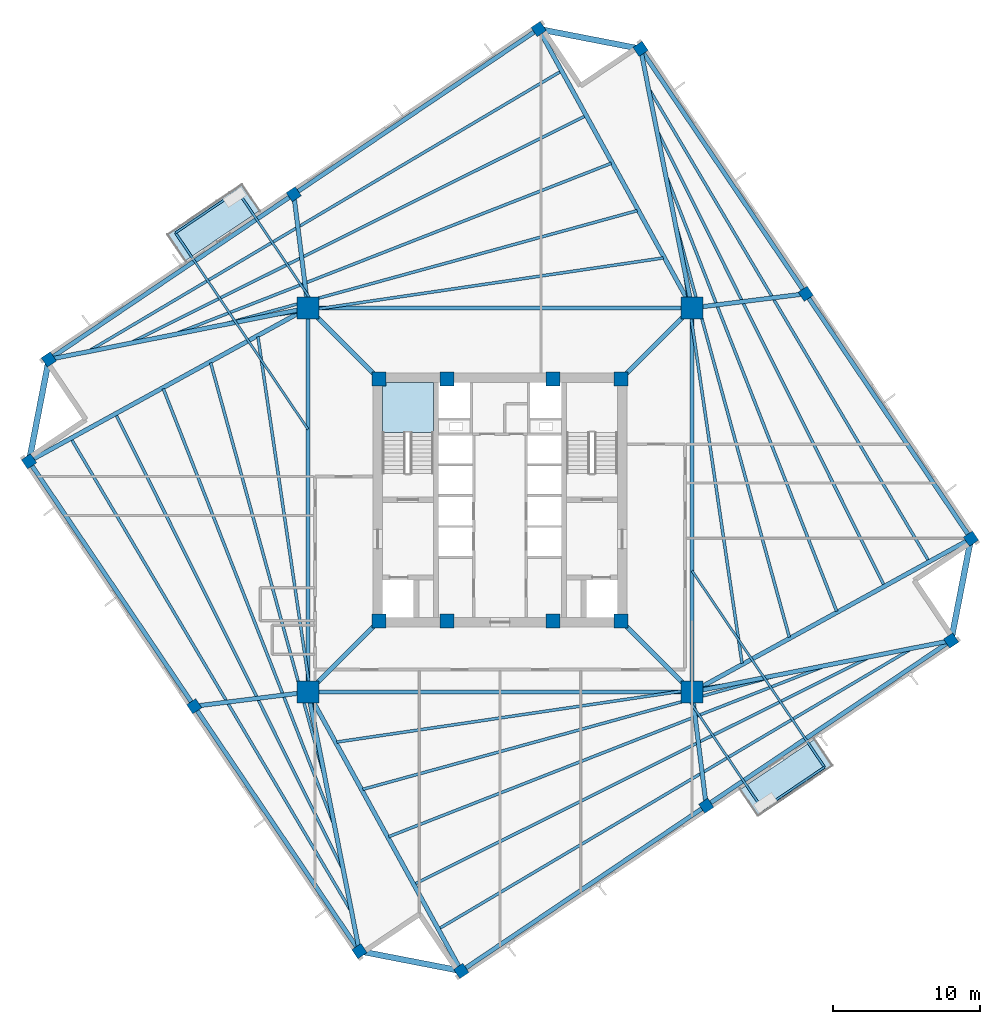
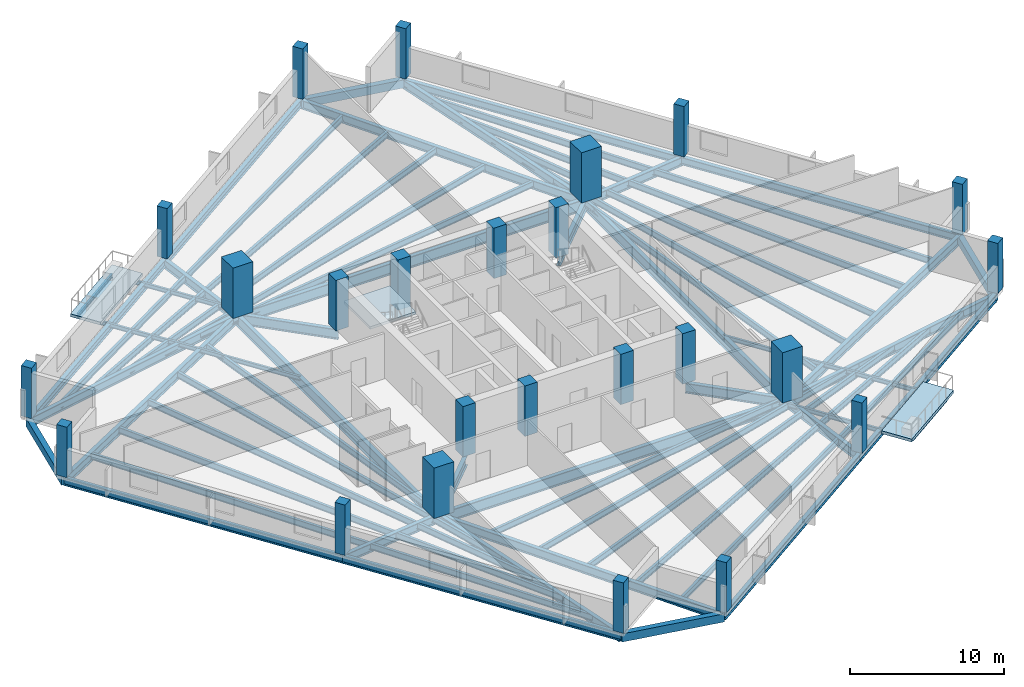
# One storey, part 1 of 8: 58 beams, 24 columns, 3 slabs, 1 element without a shape of its own.
"""IFC4 building model written with IfcOpenShell, lengths in metres."""

from ifc_helpers import new_model, si_unit, direction, frame, origin, origin_2d, place, context, subcontext, project, spatial, polyline, rectangle, i_section, outline, extrude, source, transform, mapped, material, layer, layer_set, material_profile, profile_set, type_object, element, aggregate, save


model = new_model("IFC4")

# Units and contexts
model_context = context("Model", 3, precision=1e-05, world=origin(), true_north=direction((0.0, 1.0)))
body_context = subcontext(model_context, "Body", "Model", "MODEL_VIEW")
ifc_project = project(units=[si_unit("LENGTHUNIT", "METRE"), si_unit("AREAUNIT", "SQUARE_METRE"), si_unit("VOLUMEUNIT", "CUBIC_METRE"), si_unit("PLANEANGLEUNIT", "RADIAN"), si_unit("MASSUNIT", "GRAM", prefix="KILO"), si_unit("THERMODYNAMICTEMPERATUREUNIT", "KELVIN")], contexts=[model_context])

# Site, building, storey
site_placement = place(None, origin())
site = spatial("IfcSite", under=ifc_project, at=site_placement, CompositionType="ELEMENT")
building_placement = place(site_placement, origin())
building = spatial("IfcBuilding", under=site, at=building_placement, Name="Kosmvard Interchange Tower", CompositionType="ELEMENT")
storey_placement = place(building_placement, frame((0.0, 0.0, 196.39990234375)))
storey = spatial("IfcBuildingStorey", under=building, at=storey_placement, Name="L47", CompositionType="ELEMENT", Elevation=196.39990234375)

# Columns
ifc_material_1 = material(Name="Concrete C60/75", Category="concrete")
ifc_material_profile_1 = material_profile(ifc_material_1, rectangle(XDim=0.949951171875, YDim=0.949951171875, at=origin_2d()), Name="CP 950x950")
ifc_profile_set_1 = profile_set([ifc_material_profile_1], Name="Concrete C60/75")
column_type_1 = type_object("IfcColumnType", Name="Core Boundary Pilaster 950x950 C60/75", PredefinedType="PILASTER", material=ifc_profile_set_1)
shared_shape_1 = source(origin(), body_context, "Body", "SweptSolid", [
    extrude(rectangle(XDim=0.949951171875, YDim=0.949951171875, at=origin_2d()), origin(), (0.0, 0.0, 1.0), 4.0),
])
for number, where, z_axis, x_axis, name in (
    (1, (-8.25, -8.25, 0.0), (0.0, 0.0, 1.0), (1.0, 0.0, 0.0), "L47 Core Pilaster CP1"),
    (2, (8.25, -8.25, 0.0), (0.0, 0.0, 1.0), (1.0, 0.0, 0.0), "L47 Core Pilaster CP2"),
    (3, (8.25, 8.25, 0.0), (0.0, 0.0, 1.0), (1.0, 0.0, 0.0), "L47 Core Pilaster CP3"),
    (4, (-8.25, 8.25, 0.0), (0.0, 0.0, 1.0), (1.0, 0.0, 0.0), "L47 Core Pilaster CP4"),
    (5, (-3.60009765625, -8.25, 0.0), (0.0, 0.0, 1.0), (1.0, 0.0, 0.0), "L47 Core Pilaster CP5"),
    (6, (3.60009765625, -8.25, 0.0), (0.0, 0.0, 1.0), (1.0, 0.0, 0.0), "L47 Core Pilaster CP6"),
    (7, (-3.60009765625, 8.25, 0.0), (0.0, 0.0, 1.0), (1.0, 0.0, 0.0), "L47 Core Pilaster CP7"),
    (8, (3.60009765625, 8.25, 0.0), (0.0, 0.0, 1.0), (1.0, 0.0, 0.0), "L47 Core Pilaster CP8"),
):
    element("IfcColumn", number, at=place(storey_placement, frame(where, z_axis=z_axis, x_axis=x_axis)), inside=storey, type_object=column_type_1, Name=name, PredefinedType="PILASTER", context=body_context, shape_type="MappedRepresentation", body=[
        mapped(shared_shape_1, transform((0.0, 0.0, 0.0), scale=1.0)),
    ])
ifc_material_profile_2 = material_profile(ifc_material_1, rectangle(XDim=1.5, YDim=1.5, at=origin_2d()), Name="MC 1500x1500")
ifc_profile_set_2 = profile_set([ifc_material_profile_2], Name="Concrete C60/75")
column_type_2 = type_object("IfcColumnType", Name="Composite Mega-Column 1500x1500 C60/75", PredefinedType="COLUMN", material=ifc_profile_set_2)
shared_shape_2 = source(origin(), body_context, "Body", "SweptSolid", [
    extrude(rectangle(XDim=1.5, YDim=1.5, at=origin_2d()), origin(), (0.0, 0.0, 1.0), 4.0),
])
for number, where, z_axis, x_axis, name in (
    (9, (-13.0810546875, -13.0810546875, 0.0), (0.0, 0.0, 1.0), (1.0, 0.0, 0.0), "L47 Corner Mega-Column MC1"),
    (10, (13.0810546875, -13.0810546875, 0.0), (0.0, 0.0, 1.0), (1.0, 0.0, 0.0), "L47 Corner Mega-Column MC2"),
    (11, (13.0810546875, 13.0810546875, 0.0), (0.0, 0.0, 1.0), (1.0, 0.0, 0.0), "L47 Corner Mega-Column MC3"),
    (12, (-13.0810546875, 13.0810546875, 0.0), (0.0, 0.0, 1.0), (1.0, 0.0, 0.0), "L47 Corner Mega-Column MC4"),
):
    element("IfcColumn", number, at=place(storey_placement, frame(where, z_axis=z_axis, x_axis=x_axis)), inside=storey, type_object=column_type_2, Name=name, PredefinedType="COLUMN", context=body_context, shape_type="MappedRepresentation", body=[
        mapped(shared_shape_2, transform((0.0, 0.0, 0.0), scale=1.0)),
    ])
ifc_material_2 = material(Name="Concrete C50/60", Category="concrete")
ifc_material_profile_3 = material_profile(ifc_material_2, rectangle(XDim=0.75, YDim=0.75, at=origin_2d()), Name="TC 750x750")
ifc_profile_set_3 = profile_set([ifc_material_profile_3], Name="Concrete C50/60")
column_type_3 = type_object("IfcColumnType", Name="Zone 3 Perimeter Pier Column 750x750 C50/60", PredefinedType="COLUMN", material=ifc_profile_set_3)
shared_shape_3 = source(origin(), body_context, "Body", "SweptSolid", [
    extrude(rectangle(XDim=0.75, YDim=0.75, at=origin_2d()), origin(), (0.0, 0.0, 1.0), 4.0),
])
for number, where, z_axis, x_axis, name in (
    (13, (-2.634765625, -32.083251953125, 0.0), (0.0, 0.0, 1.0), (0.829037572555, 0.559192903471, 0.0), "L47 Perimeter Pier Column TC-S1"),
    (14, (14.0498046875, -20.82958984375, 0.0), (0.0, 0.0, 1.0), (0.829037572555, 0.559192903471, 0.0), "L47 Perimeter Pier Column TC-S2"),
    (15, (30.734130859375, -9.575927734375, 0.0), (0.0, 0.0, 1.0), (0.829037572555, 0.559192903471, 0.0), "L47 Perimeter Pier Column TC-S3"),
    (16, (32.083251953125, -2.634765625, 0.0), (0.0, 0.0, 1.0), (0.829037572555, 0.559192903471, 0.0), "L47 Perimeter Pier Column TC-E1"),
    (17, (20.82958984375, 14.0498046875, 0.0), (0.0, 0.0, 1.0), (0.829037572555, 0.559192903471, 0.0), "L47 Perimeter Pier Column TC-E2"),
    (18, (9.575927734375, 30.734130859375, 0.0), (0.0, 0.0, 1.0), (0.829037572555, 0.559192903471, 0.0), "L47 Perimeter Pier Column TC-E3"),
    (19, (2.634765625, 32.083251953125, 0.0), (0.0, 0.0, 1.0), (0.829037572555, 0.559192903471, 0.0), "L47 Perimeter Pier Column TC-N1"),
    (20, (-14.0498046875, 20.82958984375, 0.0), (0.0, 0.0, 1.0), (0.829037572555, 0.559192903471, 0.0), "L47 Perimeter Pier Column TC-N2"),
    (21, (-30.734130859375, 9.575927734375, 0.0), (0.0, 0.0, 1.0), (0.829037572555, 0.559192903471, 0.0), "L47 Perimeter Pier Column TC-N3"),
    (22, (-32.083251953125, 2.634765625, 0.0), (0.0, 0.0, 1.0), (0.829037572555, 0.559192903471, 0.0), "L47 Perimeter Pier Column TC-W1"),
    (23, (-20.82958984375, -14.0498046875, 0.0), (0.0, 0.0, 1.0), (0.829037572555, 0.559192903471, 0.0), "L47 Perimeter Pier Column TC-W2"),
    (24, (-9.575927734375, -30.734130859375, 0.0), (0.0, 0.0, 1.0), (0.829037572555, 0.559192903471, 0.0), "L47 Perimeter Pier Column TC-W3"),
):
    element("IfcColumn", number, at=place(storey_placement, frame(where, z_axis=z_axis, x_axis=x_axis)), inside=storey, type_object=column_type_3, Name=name, PredefinedType="COLUMN", context=body_context, shape_type="MappedRepresentation", body=[
        mapped(shared_shape_3, transform((0.0, 0.0, 0.0), scale=1.0)),
    ])

# Beams
ifc_material_3 = material(Name="Steel S355", Category="steel")
ifc_material_profile_4 = material_profile(ifc_material_3, i_section(OverallWidth=0.14990234375, OverallDepth=0.300048828125, WebThickness=0.007080078125, FlangeThickness=0.0107421875, FilletRadius=0.014892578125, at=origin_2d()), Name="IPE 300")
ifc_profile_set_4 = profile_set([ifc_material_profile_4], Name="Steel S355")
beam_type_1 = type_object("IfcBeamType", Name="Balcony Edge Header Joist IPE 300 S355", PredefinedType="JOIST", material=ifc_profile_set_4)
shared_shape_4 = source(origin(), body_context, "Body", "SweptSolid", [
    extrude(i_section(OverallWidth=0.14990234375, OverallDepth=0.300048828125, WebThickness=0.007080078125, FlangeThickness=0.0107421875, FilletRadius=0.014892578125, at=origin_2d()), origin(), (0.0, 0.0, 1.0), 5.099853515625),
])
for number, where, z_axis, x_axis, name in (
    (25, (-17.87841796875, 21.051513671875, -0.409912109375), (-0.82904064614, -0.559188346666, 0.0), (0.559188346666, -0.82904064614, 0.0), "BM-L47-BJH1"),
    (26, (17.87841796875, -21.051513671875, -0.409912109375), (0.82904064614, 0.559188346666, 0.0), (-0.559188346666, 0.82904064614, 0.0), "BM-L47-BJH2"),
):
    element("IfcBeam", number, at=place(storey_placement, frame(where, z_axis=z_axis, x_axis=x_axis)), inside=storey, type_object=beam_type_1, Name=name, PredefinedType="JOIST", context=body_context, shape_type="MappedRepresentation", body=[
        mapped(shared_shape_4, transform((0.0, 0.0, 0.0), scale=1.0)),
    ])
ifc_material_profile_5 = material_profile(ifc_material_3, i_section(OverallWidth=0.300048828125, OverallDepth=0.800048828125, WebThickness=0.017578125, FlangeThickness=0.032958984375, FilletRadius=0.027099609375, at=origin_2d()), Name="HEB 800")
ifc_profile_set_5 = profile_set([ifc_material_profile_5], Name="Steel S355")
beam_type_2 = type_object("IfcBeamType", Name="Primary Mega-Frame Girder HEB 800 S355", PredefinedType="BEAM", material=ifc_profile_set_5)
shared_shape_5 = source(origin(), body_context, "Body", "SweptSolid", [
    extrude(i_section(OverallWidth=0.300048828125, OverallDepth=0.800048828125, WebThickness=0.017578125, FlangeThickness=0.032958984375, FilletRadius=0.027099609375, at=origin_2d()), origin(), (0.0, 0.0, 1.0), 6.83203125),
])
for number, where, z_axis, x_axis, name in (
    (27, (-8.25, -8.25, -0.659912109375), (-0.707106781187, -0.707106781187, 0.0), (0.707106781187, -0.707106781187, 0.0), "L47 Radial Mega-Frame Girder 1"),
    (28, (8.25, -8.25, -0.659912109375), (0.707106781187, -0.707106781187, 0.0), (0.707106781187, 0.707106781187, 0.0), "L47 Radial Mega-Frame Girder 2"),
    (29, (8.25, 8.25, -0.659912109375), (0.707106781187, 0.707106781187, 0.0), (-0.707106781187, 0.707106781187, 0.0), "L47 Radial Mega-Frame Girder 3"),
    (30, (-8.25, 8.25, -0.659912109375), (-0.707106781187, 0.707106781187, 0.0), (-0.707106781187, -0.707106781187, 0.0), "L47 Radial Mega-Frame Girder 4"),
):
    element("IfcBeam", number, at=place(storey_placement, frame(where, z_axis=z_axis, x_axis=x_axis)), inside=storey, type_object=beam_type_2, Name=name, PredefinedType="BEAM", context=body_context, shape_type="MappedRepresentation", body=[
        mapped(shared_shape_5, transform((0.0, 0.0, 0.0), scale=1.0)),
    ])
ifc_material_profile_6 = material_profile(ifc_material_3, i_section(OverallWidth=0.300048828125, OverallDepth=0.89990234375, WebThickness=0.0185546875, FlangeThickness=0.034912109375, FilletRadius=0.030029296875, at=origin_2d()), Name="HEB 900")
ifc_profile_set_6 = profile_set([ifc_material_profile_6], Name="Steel S355")
beam_type_3 = type_object("IfcBeamType", Name="Mega-Column Ring Girder HEB 900 S355", PredefinedType="BEAM", material=ifc_profile_set_6)
shared_shape_6 = source(origin(), body_context, "Body", "SweptSolid", [
    extrude(i_section(OverallWidth=0.300048828125, OverallDepth=0.89990234375, WebThickness=0.0185546875, FlangeThickness=0.034912109375, FilletRadius=0.030029296875, at=origin_2d()), origin(), (0.0, 0.0, 1.0), 26.162109375),
])
for number, where, z_axis, x_axis, name in (
    (31, (-13.0810546875, -13.0810546875, -0.7099609375), (1.0, 0.0, 0.0), (0.0, 1.0, 0.0), "L47 Mega-Column Ring Girder 1"),
    (32, (13.0810546875, -13.0810546875, -0.7099609375), (0.0, 1.0, 0.0), (-1.0, 0.0, 0.0), "L47 Mega-Column Ring Girder 2"),
    (33, (13.0810546875, 13.0810546875, -0.7099609375), (-1.0, 0.0, 0.0), (0.0, -1.0, 0.0), "L47 Mega-Column Ring Girder 3"),
    (34, (-13.0810546875, 13.0810546875, -0.7099609375), (0.0, -1.0, 0.0), (1.0, 0.0, 0.0), "L47 Mega-Column Ring Girder 4"),
):
    element("IfcBeam", number, at=place(storey_placement, frame(where, z_axis=z_axis, x_axis=x_axis)), inside=storey, type_object=beam_type_3, Name=name, PredefinedType="BEAM", context=body_context, shape_type="MappedRepresentation", body=[
        mapped(shared_shape_6, transform((0.0, 0.0, 0.0), scale=1.0)),
    ])
ifc_material_profile_7 = material_profile(ifc_material_3, i_section(OverallWidth=0.300048828125, OverallDepth=0.60009765625, WebThickness=0.015380859375, FlangeThickness=0.030029296875, FilletRadius=0.027099609375, at=origin_2d()), Name="HEB 600")
ifc_profile_set_7 = profile_set([ifc_material_profile_7], Name="Steel S355")
beam_type_4 = type_object("IfcBeamType", Name="Perimeter Tie Girder HEB 600 S355", PredefinedType="BEAM", material=ifc_profile_set_7)
shared_shape_7 = source(origin(), body_context, "Body", "SweptSolid", [
    extrude(i_section(OverallWidth=0.300048828125, OverallDepth=0.60009765625, WebThickness=0.015380859375, FlangeThickness=0.030029296875, FilletRadius=0.027099609375, at=origin_2d()), origin(), (0.0, 0.0, 1.0), 20.125),
])
for number, where, z_axis, x_axis, name in (
    (35, (-2.634765625, -32.083251953125, -0.559814453125), (0.82904270175, 0.559185299051, 0.0), (-0.559185299051, 0.82904270175, 0.0), "BM-L47-PR01"),
    (36, (14.0498046875, -20.82958984375, -0.559814453125), (0.829038908426, 0.559190922956, 0.0), (-0.559190922956, 0.829038908426, 0.0), "BM-L47-PR02"),
    (37, (32.083251953125, -2.634765625, -0.559814453125), (-0.559185299051, 0.82904270175, 0.0), (-0.82904270175, -0.559185299051, 0.0), "BM-L47-PR04"),
    (38, (20.82958984375, 14.0498046875, -0.559814453125), (-0.559190922956, 0.829038908426, 0.0), (-0.829038908426, -0.559190922956, 0.0), "BM-L47-PR05"),
    (39, (2.634765625, 32.083251953125, -0.559814453125), (-0.82904270175, -0.559185299051, 0.0), (0.559185299051, -0.82904270175, 0.0), "BM-L47-PR07"),
    (40, (-14.0498046875, 20.82958984375, -0.559814453125), (-0.829038908426, -0.559190922956, 0.0), (0.559190922956, -0.829038908426, 0.0), "BM-L47-PR08"),
    (41, (-32.083251953125, 2.634765625, -0.559814453125), (0.559185299051, -0.82904270175, 0.0), (0.82904270175, 0.559185299051, 0.0), "BM-L47-PR10"),
    (42, (-20.82958984375, -14.0498046875, -0.559814453125), (0.559190922956, -0.829038908426, 0.0), (0.829038908426, 0.559190922956, 0.0), "BM-L47-PR11"),
):
    element("IfcBeam", number, at=place(storey_placement, frame(where, z_axis=z_axis, x_axis=x_axis)), inside=storey, type_object=beam_type_4, Name=name, PredefinedType="BEAM", context=body_context, shape_type="MappedRepresentation", body=[
        mapped(shared_shape_7, transform((0.0, 0.0, 0.0), scale=1.0)),
    ])
ifc_material_profile_8 = material_profile(ifc_material_3, i_section(OverallWidth=0.300048828125, OverallDepth=0.699951171875, WebThickness=0.01708984375, FlangeThickness=0.031982421875, FilletRadius=0.027099609375, at=origin_2d()), Name="HEB 700")
ifc_profile_set_8 = profile_set([ifc_material_profile_8], Name="Steel S355")
beam_type_5 = type_object("IfcBeamType", Name="Primary Floor Girder HEB 700 S355", PredefinedType="BEAM", material=ifc_profile_set_8)
shared_shape_8 = source(origin(), body_context, "Body", "SweptSolid", [
    extrude(i_section(OverallWidth=0.300048828125, OverallDepth=0.699951171875, WebThickness=0.01708984375, FlangeThickness=0.031982421875, FilletRadius=0.027099609375, at=origin_2d()), origin(), (0.0, 0.0, 1.0), 21.684326171875),
])
for number, where, z_axis, x_axis, name in (
    (43, (-13.0810546875, -13.0810546875, -0.60986328125), (0.48174456271, -0.876311689012, 0.0), (0.876311689012, 0.48174456271, 0.0), "BM-L47-RD01"),
    (44, (13.0810546875, -13.0810546875, -0.60986328125), (0.876311689012, 0.48174456271, 0.0), (-0.48174456271, 0.876311689012, 0.0), "BM-L47-RD04"),
    (45, (13.0810546875, 13.0810546875, -0.60986328125), (-0.48174456271, 0.876311689012, 0.0), (-0.876311689012, -0.48174456271, 0.0), "BM-L47-RD07"),
    (46, (-13.0810546875, 13.0810546875, -0.60986328125), (-0.876311689012, -0.48174456271, 0.0), (0.48174456271, -0.876311689012, 0.0), "BM-L47-RD10"),
):
    element("IfcBeam", number, at=place(storey_placement, frame(where, z_axis=z_axis, x_axis=x_axis)), inside=storey, type_object=beam_type_5, Name=name, PredefinedType="BEAM", context=body_context, shape_type="MappedRepresentation", body=[
        mapped(shared_shape_8, transform((0.0, 0.0, 0.0), scale=1.0)),
    ])
shared_shape_9 = source(origin(), body_context, "Body", "SweptSolid", [
    extrude(i_section(OverallWidth=0.300048828125, OverallDepth=0.699951171875, WebThickness=0.01708984375, FlangeThickness=0.031982421875, FilletRadius=0.027099609375, at=origin_2d()), origin(), (0.0, 0.0, 1.0), 7.808837890625),
])
for number, where, z_axis, x_axis, name in (
    (47, (13.0810546875, -13.0810546875, -0.60986328125), (0.12405782224, -0.992274990485, 0.0), (0.992274990485, 0.12405782224, 0.0), "BM-L47-RD02"),
    (48, (13.0810546875, 13.0810546875, -0.60986328125), (0.992274990485, 0.12405782224, 0.0), (-0.12405782224, 0.992274990485, 0.0), "BM-L47-RD05"),
    (49, (-13.0810546875, 13.0810546875, -0.60986328125), (-0.12405782224, 0.992274990485, 0.0), (-0.992274990485, -0.12405782224, 0.0), "BM-L47-RD08"),
    (50, (-13.0810546875, -13.0810546875, -0.60986328125), (-0.992274990485, -0.12405782224, 0.0), (0.12405782224, -0.992274990485, 0.0), "BM-L47-RD11"),
):
    element("IfcBeam", number, at=place(storey_placement, frame(where, z_axis=z_axis, x_axis=x_axis)), inside=storey, type_object=beam_type_5, Name=name, PredefinedType="BEAM", context=body_context, shape_type="MappedRepresentation", body=[
        mapped(shared_shape_9, transform((0.0, 0.0, 0.0), scale=1.0)),
    ])
ifc_material_4 = material(Name="Precast concrete C45/55", Category="concrete")
ifc_material_profile_9 = material_profile(ifc_material_4, rectangle(XDim=0.39990234375, YDim=0.64990234375, at=origin_2d()), Name="SL 400x650")
ifc_profile_set_9 = profile_set([ifc_material_profile_9], Name="Precast concrete C45/55")
beam_type_6 = type_object("IfcBeamType", Name="Precast Spandrel Lintel 400x650 C45/55", PredefinedType="LINTEL", material=ifc_profile_set_9)
shared_shape_10 = source(origin(), body_context, "Body", "SweptSolid", [
    extrude(rectangle(XDim=0.39990234375, YDim=0.64990234375, at=origin_2d()), origin(), (0.0, 0.0, 1.0), 7.071044921875),
])
for number, where, z_axis, x_axis, name in (
    (51, (30.734130859375, -9.575927734375, -0.5849609375), (0.190794803533, 0.981629941956, 0.0), (-0.981629941956, 0.190794803533, 0.0), "BM-L47-SL1"),
    (52, (9.575927734375, 30.734130859375, -0.5849609375), (-0.981629941956, 0.190794803533, 0.0), (-0.190794803533, -0.981629941956, 0.0), "BM-L47-SL2"),
    (53, (-30.734130859375, 9.575927734375, -0.5849609375), (-0.190794803533, -0.981629941956, 0.0), (0.981629941956, -0.190794803533, 0.0), "BM-L47-SL3"),
    (54, (-9.575927734375, -30.734130859375, -0.5849609375), (0.981629941956, -0.190794803533, 0.0), (0.190794803533, 0.981629941956, 0.0), "BM-L47-SL4"),
):
    element("IfcBeam", number, at=place(storey_placement, frame(where, z_axis=z_axis, x_axis=x_axis)), inside=storey, type_object=beam_type_6, Name=name, PredefinedType="LINTEL", context=body_context, shape_type="MappedRepresentation", body=[
        mapped(shared_shape_10, transform((0.0, 0.0, 0.0), scale=1.0)),
    ])
shared_shape_11 = source(origin(), body_context, "Body", "SweptSolid", [
    extrude(i_section(OverallWidth=0.300048828125, OverallDepth=0.699951171875, WebThickness=0.01708984375, FlangeThickness=0.031982421875, FilletRadius=0.027099609375, at=origin_2d()), origin(), (0.0, 0.0, 1.0), 17.997802734375),
])
for number, where, z_axis, x_axis, name in (
    (55, (13.0810546875, -13.0810546875, -0.60986328125), (0.980852075755, 0.194754218148, 0.0), (-0.194754218148, 0.980852075755, 0.0), "BM-L47-RD03"),
    (56, (13.0810546875, 13.0810546875, -0.60986328125), (-0.194754218148, 0.980852075755, 0.0), (-0.980852075755, -0.194754218148, 0.0), "BM-L47-RD06"),
    (57, (-13.0810546875, 13.0810546875, -0.60986328125), (-0.980852075755, -0.194754218148, 0.0), (0.194754218148, -0.980852075755, 0.0), "BM-L47-RD09"),
    (58, (-13.0810546875, -13.0810546875, -0.60986328125), (0.194754218148, -0.980852075755, 0.0), (0.980852075755, 0.194754218148, 0.0), "BM-L47-RD12"),
):
    element("IfcBeam", number, at=place(storey_placement, frame(where, z_axis=z_axis, x_axis=x_axis)), inside=storey, type_object=beam_type_5, Name=name, PredefinedType="BEAM", context=body_context, shape_type="MappedRepresentation", body=[
        mapped(shared_shape_11, transform((0.0, 0.0, 0.0), scale=1.0)),
    ])
ifc_material_profile_10 = material_profile(ifc_material_3, i_section(OverallWidth=0.199951171875, OverallDepth=0.5, WebThickness=0.01025390625, FlangeThickness=0.01611328125, FilletRadius=0.02099609375, at=origin_2d()), Name="IPE 500")
ifc_profile_set_10 = profile_set([ifc_material_profile_10], Name="Steel S355")
beam_type_7 = type_object("IfcBeamType", Name="Standard Floor Joist IPE 500 S355", PredefinedType="JOIST", material=ifc_profile_set_10)
shared_shape_12 = source(origin(), body_context, "Body", "SweptSolid", [
    extrude(i_section(OverallWidth=0.199951171875, OverallDepth=0.5, WebThickness=0.01025390625, FlangeThickness=0.01611328125, FilletRadius=0.02099609375, at=origin_2d()), origin(), (0.0, 0.0, 1.0), 27.5966796875),
])
for number, where, z_axis, x_axis, name in (
    (59, (-11.12158203125, -16.48974609375, -0.510009765625), (0.989290070387, 0.145962860463, 0.0), (-0.145962860463, 0.989290070387, 0.0), "BM-L47-FJ01"),
    (60, (16.48974609375, -11.12158203125, -0.510009765625), (-0.145962860463, 0.989290070387, 0.0), (-0.989290070387, -0.145962860463, 0.0), "BM-L47-FJ06"),
    (61, (11.12158203125, 16.48974609375, -0.510009765625), (-0.989290070387, -0.145962860463, 0.0), (0.145962860463, -0.989290070387, 0.0), "BM-L47-FJ11"),
    (62, (-16.48974609375, 11.12158203125, -0.510009765625), (0.145962860463, -0.989290070387, 0.0), (0.989290070387, 0.145962860463, 0.0), "BM-L47-FJ16"),
):
    element("IfcBeam", number, at=place(storey_placement, frame(where, z_axis=z_axis, x_axis=x_axis)), inside=storey, type_object=beam_type_7, Name=name, PredefinedType="JOIST", context=body_context, shape_type="MappedRepresentation", body=[
        mapped(shared_shape_12, transform((0.0, 0.0, 0.0), scale=1.0)),
    ])
shared_shape_13 = source(origin(), body_context, "Body", "SweptSolid", [
    extrude(i_section(OverallWidth=0.199951171875, OverallDepth=0.5, WebThickness=0.01025390625, FlangeThickness=0.01611328125, FilletRadius=0.02099609375, at=origin_2d()), origin(), (0.0, 0.0, 1.0), 29.58642578125),
])
for number, where, z_axis, x_axis, name in (
    (63, (-9.34765625, -19.710693359375, -0.510009765625), (0.964296527467, 0.264824861209, 0.0), (-0.264824861209, 0.964296527467, 0.0), "BM-L47-FJ02"),
    (64, (19.710693359375, -9.34765625, -0.510009765625), (-0.264824861209, 0.964296527467, 0.0), (-0.964296527467, -0.264824861209, 0.0), "BM-L47-FJ07"),
    (65, (9.34765625, 19.710693359375, -0.510009765625), (-0.964296527467, -0.264824861209, 0.0), (0.264824861209, -0.964296527467, 0.0), "BM-L47-FJ12"),
    (66, (-19.710693359375, 9.34765625, -0.510009765625), (0.264824861209, -0.964296527467, 0.0), (0.964296527467, 0.264824861209, 0.0), "BM-L47-FJ17"),
):
    element("IfcBeam", number, at=place(storey_placement, frame(where, z_axis=z_axis, x_axis=x_axis)), inside=storey, type_object=beam_type_7, Name=name, PredefinedType="JOIST", context=body_context, shape_type="MappedRepresentation", body=[
        mapped(shared_shape_13, transform((0.0, 0.0, 0.0), scale=1.0)),
    ])
shared_shape_14 = source(origin(), body_context, "Body", "SweptSolid", [
    extrude(i_section(OverallWidth=0.199951171875, OverallDepth=0.5, WebThickness=0.01025390625, FlangeThickness=0.01611328125, FilletRadius=0.02099609375, at=origin_2d()), origin(), (0.0, 0.0, 1.0), 31.9580078125),
])
for number, where, z_axis, x_axis, name in (
    (67, (-7.574462890625, -22.93310546875, -0.510009765625), (0.931239172846, 0.364408565976, 0.0), (-0.364408565976, 0.931239172846, 0.0), "BM-L47-FJ03"),
    (68, (22.93310546875, -7.574462890625, -0.510009765625), (-0.364408565976, 0.931239172846, 0.0), (-0.931239172846, -0.364408565976, 0.0), "BM-L47-FJ08"),
    (69, (7.574462890625, 22.93310546875, -0.510009765625), (-0.931239172846, -0.364408565976, 0.0), (0.364408565976, -0.931239172846, 0.0), "BM-L47-FJ13"),
    (70, (-22.93310546875, 7.574462890625, -0.510009765625), (0.364408565976, -0.931239172846, 0.0), (0.931239172846, 0.364408565976, 0.0), "BM-L47-FJ18"),
):
    element("IfcBeam", number, at=place(storey_placement, frame(where, z_axis=z_axis, x_axis=x_axis)), inside=storey, type_object=beam_type_7, Name=name, PredefinedType="JOIST", context=body_context, shape_type="MappedRepresentation", body=[
        mapped(shared_shape_14, transform((0.0, 0.0, 0.0), scale=1.0)),
    ])
shared_shape_15 = source(origin(), body_context, "Body", "SweptSolid", [
    extrude(i_section(OverallWidth=0.199951171875, OverallDepth=0.5, WebThickness=0.01025390625, FlangeThickness=0.01611328125, FilletRadius=0.02099609375, at=origin_2d()), origin(), (0.0, 0.0, 1.0), 34.633056640625),
])
for number, where, z_axis, x_axis, name in (
    (71, (-5.801513671875, -26.156982421875, -0.510009765625), (0.894853974707, 0.446359007921, 0.0), (-0.446359007921, 0.894853974707, 0.0), "BM-L47-FJ04"),
    (72, (26.156982421875, -5.801513671875, -0.510009765625), (-0.446359007921, 0.894853974707, 0.0), (-0.894853974707, -0.446359007921, 0.0), "BM-L47-FJ09"),
    (73, (5.801513671875, 26.156982421875, -0.510009765625), (-0.894853974707, -0.446359007921, 0.0), (0.446359007921, -0.894853974707, 0.0), "BM-L47-FJ14"),
    (74, (-26.156982421875, 5.801513671875, -0.510009765625), (0.446359007921, -0.894853974707, 0.0), (0.894853974707, 0.446359007921, 0.0), "BM-L47-FJ19"),
):
    element("IfcBeam", number, at=place(storey_placement, frame(where, z_axis=z_axis, x_axis=x_axis)), inside=storey, type_object=beam_type_7, Name=name, PredefinedType="JOIST", context=body_context, shape_type="MappedRepresentation", body=[
        mapped(shared_shape_15, transform((0.0, 0.0, 0.0), scale=1.0)),
    ])
shared_shape_16 = source(origin(), body_context, "Body", "SweptSolid", [
    extrude(i_section(OverallWidth=0.199951171875, OverallDepth=0.5, WebThickness=0.01025390625, FlangeThickness=0.01611328125, FilletRadius=0.02099609375, at=origin_2d()), origin(), (0.0, 0.0, 1.0), 37.3701171875),
])
for number, where, z_axis, x_axis, name in (
    (75, (-4.1328125, -29.192138671875, -0.510009765625), (0.860316577026, 0.509760127212, 0.0), (-0.509760127212, 0.860316577026, 0.0), "BM-L47-FJ05"),
    (76, (29.192138671875, -4.1328125, -0.510009765625), (-0.509760127212, 0.860316577026, 0.0), (-0.860316577026, -0.509760127212, 0.0), "BM-L47-FJ10"),
    (77, (4.1328125, 29.192138671875, -0.510009765625), (-0.860316577026, -0.509760127212, 0.0), (0.509760127212, -0.860316577026, 0.0), "BM-L47-FJ15"),
    (78, (-29.192138671875, 4.1328125, -0.510009765625), (0.509760127212, -0.860316577026, 0.0), (0.860316577026, 0.509760127212, 0.0), "BM-L47-FJ20"),
):
    element("IfcBeam", number, at=place(storey_placement, frame(where, z_axis=z_axis, x_axis=x_axis)), inside=storey, type_object=beam_type_7, Name=name, PredefinedType="JOIST", context=body_context, shape_type="MappedRepresentation", body=[
        mapped(shared_shape_16, transform((0.0, 0.0, 0.0), scale=1.0)),
    ])
ifc_material_profile_11 = material_profile(ifc_material_3, i_section(OverallWidth=0.159912109375, OverallDepth=0.330078125, WebThickness=0.007568359375, FlangeThickness=0.011474609375, FilletRadius=0.01806640625, at=origin_2d()), Name="IPE 330")
ifc_profile_set_11 = profile_set([ifc_material_profile_11], Name="Steel S355")
beam_type_8 = type_object("IfcBeamType", Name="Balcony Cantilever Joist IPE 330 S355", PredefinedType="JOIST", material=ifc_profile_set_11)
shared_shape_17 = source(origin(), body_context, "Body", "SweptSolid", [
    extrude(i_section(OverallWidth=0.159912109375, OverallDepth=0.330078125, WebThickness=0.007568359375, FlangeThickness=0.011474609375, FilletRadius=0.01806640625, at=origin_2d()), origin(), (0.0, 0.0, 1.0), 9.6142578125),
])
for number, where, z_axis, x_axis, name in (
    (79, (-12.502197265625, 13.0810546875, -0.4248046875), (-0.559198496377, 0.829033800065, 0.0), (-0.829033800065, -0.559198496377, 0.0), "BM-L47-BJ1"),
    (80, (12.502197265625, -13.0810546875, -0.4248046875), (0.559198496377, -0.829033800065, 0.0), (0.829033800065, 0.559198496377, 0.0), "BM-L47-BJ2"),
):
    element("IfcBeam", number, at=place(storey_placement, frame(where, z_axis=z_axis, x_axis=x_axis)), inside=storey, type_object=beam_type_8, Name=name, PredefinedType="JOIST", context=body_context, shape_type="MappedRepresentation", body=[
        mapped(shared_shape_17, transform((0.0, 0.0, 0.0), scale=1.0)),
    ])
shared_shape_18 = source(origin(), body_context, "Body", "SweptSolid", [
    extrude(i_section(OverallWidth=0.159912109375, OverallDepth=0.330078125, WebThickness=0.007568359375, FlangeThickness=0.011474609375, FilletRadius=0.01806640625, at=origin_2d()), origin(), (0.0, 0.0, 1.0), 16.14013671875),
])
for number, where, z_axis, x_axis, name in (
    (81, (-13.0810546875, 4.81884765625, -0.4248046875), (-0.559188092129, 0.829040817826, 0.0), (-0.829040817826, -0.559188092129, 0.0), "BM-L47-BJB1"),
    (82, (13.0810546875, -4.81884765625, -0.4248046875), (0.559188092129, -0.829040817826, 0.0), (0.829040817826, 0.559188092129, 0.0), "BM-L47-BJB2"),
):
    element("IfcBeam", number, at=place(storey_placement, frame(where, z_axis=z_axis, x_axis=x_axis)), inside=storey, type_object=beam_type_8, Name=name, PredefinedType="JOIST", context=body_context, shape_type="MappedRepresentation", body=[
        mapped(shared_shape_18, transform((0.0, 0.0, 0.0), scale=1.0)),
    ])

# Stair, slab
stair_type = type_object("IfcStairType", Name="Dog-Leg Core Exit Stair H4000 C50/60", PredefinedType="HALF_TURN_STAIR", material=ifc_material_2)
stair_placement = place(storey_placement, origin())
stair = element("IfcStair", 83, at=stair_placement, inside=storey, type_object=stair_type, Name="L47 Protected Exit Stair ST-1", PredefinedType="HALF_TURN_STAIR")
ifc_layer_1 = layer(ifc_material_2, 0.199951171875, Name="Concrete C50/60")
ifc_layer_set_1 = layer_set([ifc_layer_1], Name="Concrete C50/60")
slab_type_1 = type_object("IfcSlabType", Name="Stair Half-Landing Slab 200 C50/60", PredefinedType="LANDING", material=ifc_layer_set_1)
slab_1_placement = place(storey_placement, frame((0.0, 0.0, 1.800048828125)))
slab_1 = element("IfcSlab", 84, at=slab_1_placement, type_object=slab_type_1, Name="ST-1 landing 1", PredefinedType="LANDING", context=body_context, shape_type="SweptSolid", body=[
    extrude(outline(polyline([(-4.5400390625, 4.60009765625), (-4.5400390625, 8.0), (-8.0, 8.0), (-8.0, 4.60009765625), (-4.5400390625, 4.60009765625)])), origin(), (0.0, 0.0, 1.0), 0.199951171875),
])
aggregate(stair, [slab_1])

# Slabs
ifc_layer_2 = layer(ifc_material_2, 0.22998046875, Name="Concrete C50/60")
ifc_layer_set_2 = layer_set([ifc_layer_2], Name="Concrete C50/60")
slab_type_2 = type_object("IfcSlabType", Name="Tree-Planter Cantilever Balcony Slab 230 C50/60", PredefinedType="FLOOR", material=ifc_layer_set_2)
slab_2_placement = place(storey_placement, frame((0.0, 0.0, -0.22998046875)))
element("IfcSlab", 85, at=slab_2_placement, inside=storey, type_object=slab_type_2, Name="L47 Outdoor Terrace Balcony Slab BAL-L47-NE", PredefinedType="FLOOR", context=body_context, shape_type="SweptSolid", body=[
    extrude(outline(polyline([(-21.47216796875, 16.275390625), (-16.33203125, 19.742431640625), (-17.562255859375, 21.56640625), (-22.702392578125, 18.099365234375), (-21.47216796875, 16.275390625)])), origin(), (0.0, 0.0, 1.0), 0.22998046875),
])
slab_3_placement = place(storey_placement, frame((0.0, 0.0, -0.22998046875)))
element("IfcSlab", 86, at=slab_3_placement, inside=storey, type_object=slab_type_2, Name="L47 Outdoor Terrace Balcony Slab BAL-L47-SW", PredefinedType="FLOOR", context=body_context, shape_type="SweptSolid", body=[
    extrude(outline(polyline([(17.562255859375, -21.56640625), (22.702392578125, -18.099365234375), (21.47216796875, -16.275390625), (16.33203125, -19.742431640625), (17.562255859375, -21.56640625)])), origin(), (0.0, 0.0, 1.0), 0.22998046875),
])

save(model, "model.ifc")
